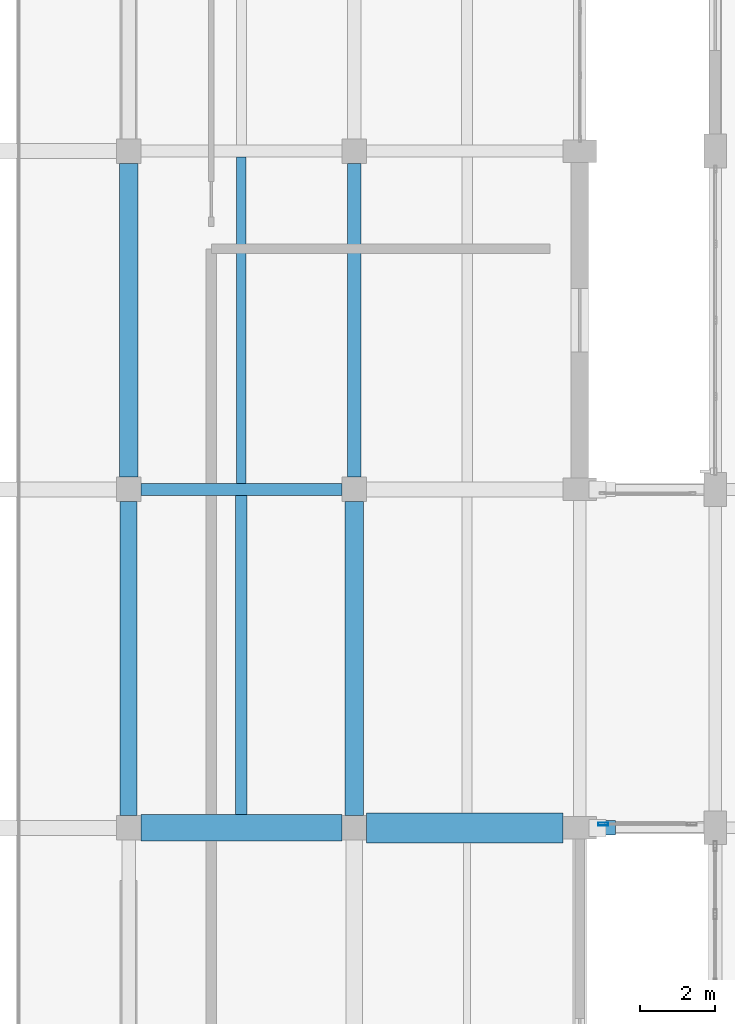
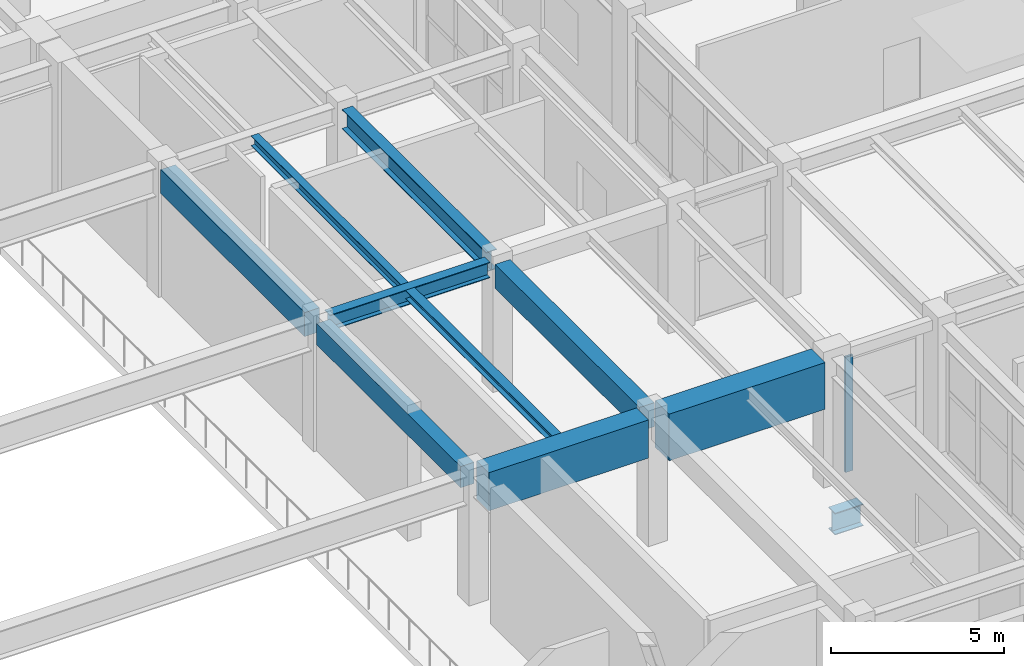
# One storey, part 30 of 85: 10 beams, 1 member, 1 element without a shape of its own.
"""IFC4 building model written with IfcOpenShell, lengths in metres."""

from ifc_helpers import new_model, si_unit, direction, frame, origin, origin_2d, place, context, subcontext, project, spatial, rectangle, hollow_rectangle, i_section, extrude, material, layer, layer_set, material_profile, profile_set, type_object, element, aggregate, save


model = new_model("IFC4")

# Units and contexts
model_context = context("Model", 3, precision=1e-05, world=origin(), true_north=direction((0.0, 1.0)))
body_context = subcontext(model_context, "Body", "Model", "MODEL_VIEW")
ifc_project = project(units=[si_unit("LENGTHUNIT", "METRE"), si_unit("AREAUNIT", "SQUARE_METRE"), si_unit("VOLUMEUNIT", "CUBIC_METRE"), si_unit("PLANEANGLEUNIT", "RADIAN"), si_unit("MASSUNIT", "GRAM", prefix="KILO")], contexts=[model_context])

# Site, building, storey
site_placement = place(None, origin())
site = spatial("IfcSite", under=ifc_project, at=site_placement, CompositionType="ELEMENT")
building_placement = place(site_placement, origin())
building = spatial("IfcBuilding", under=site, at=building_placement, Name="Vaelkrest Opera House", CompositionType="ELEMENT")
storey_placement = place(building_placement, frame((0.0, 0.0, 10.199951171875)))
storey = spatial("IfcBuildingStorey", under=building, at=storey_placement, Name="L02", CompositionType="ELEMENT", Elevation=10.199951171875)

# Beams
ifc_material_1 = material(Name="Concrete C50/60", Category="concrete")
ifc_material_profile_1 = material_profile(ifc_material_1, rectangle(XDim=0.449951171875, YDim=0.75, at=origin_2d()), Name="RCB450X750")
ifc_profile_set_1 = profile_set([ifc_material_profile_1], Name="Concrete C50/60")
beam_type_1 = type_object("IfcBeamType", Name="B02", PredefinedType="BEAM", material=ifc_profile_set_1)
beam_1_placement = place(storey_placement, frame((18.0, -7.47509765625, 4.130126953125), z_axis=(0.0, 1.0, 0.0), x_axis=(-1.0, 0.0, 0.0)))
element("IfcBeam", 1, at=beam_1_placement, inside=storey, type_object=beam_type_1, Name="Beam BM-V1-L02-0391", PredefinedType="BEAM", context=body_context, shape_type="SweptSolid", body=[
    extrude(rectangle(XDim=0.449951171875, YDim=0.75, at=origin_2d()), origin(), (0.0, 0.0, 1.0), 8.35009765625),
])
ifc_material_profile_2 = material_profile(ifc_material_1, rectangle(XDim=0.5, YDim=0.85009765625, at=origin_2d()), Name="RCB500X850")
ifc_profile_set_2 = profile_set([ifc_material_profile_2], Name="Concrete C50/60")
beam_type_2 = type_object("IfcBeamType", Name="B03", PredefinedType="BEAM", material=ifc_profile_set_2)
for number, where, z_axis, x_axis, name in (
    (2, (18.0, 1.52490234375, 4.080078125), (0.0, 1.0, 0.0), (-1.0, 0.0, 0.0), "Beam BM-V1-L02-0392"),
    (3, (24.0, -7.47509765625, 4.080078125), (0.0, 1.0, 0.0), (-1.0, 0.0, 0.0), "Beam BM-V1-L02-0396"),
):
    element("IfcBeam", number, at=place(storey_placement, frame(where, z_axis=z_axis, x_axis=x_axis)), inside=storey, type_object=beam_type_2, Name=name, PredefinedType="BEAM", context=body_context, shape_type="SweptSolid", body=[
        extrude(rectangle(XDim=0.5, YDim=0.85009765625, at=origin_2d()), origin(), (0.0, 0.0, 1.0), 8.35009765625),
    ])
ifc_material_profile_3 = material_profile(ifc_material_1, rectangle(XDim=0.699951171875, YDim=1.35009765625, at=origin_2d()), Name="RCB700X1350")
ifc_profile_set_3 = profile_set([ifc_material_profile_3], Name="Concrete C50/60")
beam_type_3 = type_object("IfcBeamType", Name="B06", PredefinedType="BEAM", material=ifc_profile_set_3)
beam_2_placement = place(storey_placement, frame((18.324951171875, -7.800048828125, 3.830078125), z_axis=(1.0, 0.0, 0.0), x_axis=(0.0, 1.0, 0.0)))
element("IfcBeam", 4, at=beam_2_placement, inside=storey, type_object=beam_type_3, Name="Beam BM-V1-L02-0343", PredefinedType="BEAM", context=body_context, shape_type="SweptSolid", body=[
    extrude(rectangle(XDim=0.699951171875, YDim=1.35009765625, at=origin_2d()), origin(), (0.0, 0.0, 1.0), 5.35009765625),
])
ifc_material_profile_4 = material_profile(ifc_material_1, rectangle(XDim=0.800048828125, YDim=1.64990234375, at=origin_2d()), Name="RCB800X1650")
ifc_profile_set_4 = profile_set([ifc_material_profile_4], Name="Concrete C50/60")
beam_type_4 = type_object("IfcBeamType", Name="B07", PredefinedType="BEAM", material=ifc_profile_set_4)
beam_3_placement = place(storey_placement, frame((24.324951171875, -7.800048828125, 3.679931640625), z_axis=(1.0, 0.0, 0.0), x_axis=(0.0, 1.0, 0.0)))
element("IfcBeam", 5, at=beam_3_placement, inside=storey, type_object=beam_type_4, Name="Beam BM-V1-L02-0344", PredefinedType="BEAM", context=body_context, shape_type="SweptSolid", body=[
    extrude(rectangle(XDim=0.800048828125, YDim=1.64990234375, at=origin_2d()), origin(), (0.0, 0.0, 1.0), 5.22509765625),
])
ifc_material_2 = material(Name="Steel A992 Gr50", Category="steel")
ifc_material_profile_5 = material_profile(ifc_material_2, i_section(OverallWidth=0.35498046875, OverallDepth=0.695068359375, WebThickness=0.015380859375, FlangeThickness=0.02490234375, at=origin_2d()), Name="W27X146")
ifc_profile_set_5 = profile_set([ifc_material_profile_5], Name="Steel A992 Gr50")
beam_type_5 = type_object("IfcBeamType", Name="B10", PredefinedType="BEAM", material=ifc_profile_set_5)
beam_4_placement = place(storey_placement, frame((24.0, 1.52490234375, 4.157470703125), z_axis=(0.0, 1.0, 0.0), x_axis=(-1.0, 0.0, 0.0)))
element("IfcBeam", 6, at=beam_4_placement, inside=storey, type_object=beam_type_5, Name="Beam BM-V1-L02-0397", PredefinedType="BEAM", context=body_context, shape_type="SweptSolid", body=[
    extrude(i_section(OverallWidth=0.35498046875, OverallDepth=0.695068359375, WebThickness=0.015380859375, FlangeThickness=0.02490234375, at=origin_2d()), origin(), (0.0, 0.0, 1.0), 8.35009765625),
])
ifc_material_profile_6 = material_profile(ifc_material_2, i_section(OverallWidth=0.31494140625, OverallDepth=0.551025390625, WebThickness=0.01513671875, FlangeThickness=0.0244140625, at=origin_2d()), Name="W21X122")
ifc_profile_set_6 = profile_set([ifc_material_profile_6], Name="Steel A992 Gr50")
beam_type_6 = type_object("IfcBeamType", Name="B20", PredefinedType="BEAM", material=ifc_profile_set_6)
beam_5_placement = place(storey_placement, frame((18.324951171875, 1.199951171875, 4.2294921875), z_axis=(1.0, 0.0, 0.0), x_axis=(0.0, 1.0, 0.0)))
element("IfcBeam", 7, at=beam_5_placement, inside=storey, type_object=beam_type_6, Name="Beam BM-V1-L02-0348", PredefinedType="BEAM", context=body_context, shape_type="SweptSolid", body=[
    extrude(i_section(OverallWidth=0.31494140625, OverallDepth=0.551025390625, WebThickness=0.01513671875, FlangeThickness=0.0244140625, at=origin_2d()), origin(), (0.0, 0.0, 1.0), 5.35009765625),
])

# Curtain wall, member
ifc_material_3 = material(Name="Dark bronze anodized aluminium", Category="aluminium")
ifc_layer = layer(ifc_material_3, 0.2099609375)
ifc_layer_set = layer_set([ifc_layer], Name="Dark bronze anodized aluminium")
curtain_wall_type = type_object("IfcCurtainWallType", Name="CW04", PredefinedType="NOTDEFINED", material=ifc_layer_set)
curtain_wall_placement = place(storey_placement, origin())
curtain_wall = element("IfcCurtainWall", 8, at=curtain_wall_placement, inside=storey, type_object=curtain_wall_type, Name="Curtain wall CW-L02-182", PredefinedType="NOTDEFINED")
ifc_material_profile_7 = material_profile(ifc_material_3, hollow_rectangle(XDim=0.080078125, YDim=0.260009765625, WallThickness=0.0048828125, at=origin_2d()), Name="CWM80X260")
ifc_profile_set_7 = profile_set([ifc_material_profile_7], Name="Dark bronze anodized aluminium")
member_type = type_object("IfcMemberType", Name="CWM04", PredefinedType="MULLION", material=ifc_profile_set_7)
member_placement = place(storey_placement, frame((30.6201171875, -7.699951171875, 0.0), z_axis=(0.0, 0.0, 1.0), x_axis=(0.0, -1.0, 0.0)))
member = element("IfcMember", 9, at=member_placement, type_object=member_type, Name="CW04 mullion 2", PredefinedType="MULLION", context=body_context, shape_type="SweptSolid", body=[
    extrude(hollow_rectangle(XDim=0.080078125, YDim=0.260009765625, WallThickness=0.0048828125, at=origin_2d()), origin(), (0.0, 0.0, 1.0), 4.080078125),
])
aggregate(curtain_wall, [member])

# Beams
ifc_material_profile_8 = material_profile(ifc_material_2, i_section(OverallWidth=0.304931640625, OverallDepth=0.30810546875, WebThickness=0.010009765625, FlangeThickness=0.015380859375, at=origin_2d()), Name="W12X65")
ifc_profile_set_8 = profile_set([ifc_material_profile_8], Name="Steel A992 Gr50")
beam_type_7 = type_object("IfcBeamType", Name="J04", PredefinedType="JOIST", material=ifc_profile_set_8)
beam_6_placement = place(storey_placement, frame((21.0, -7.449951171875, 4.35107421875), z_axis=(0.0, 1.0, 0.0), x_axis=(-1.0, 0.0, 0.0)))
element("IfcBeam", 10, at=beam_6_placement, inside=storey, type_object=beam_type_7, Name="Floor joist JST-V1-L02-0414", PredefinedType="JOIST", context=body_context, shape_type="SweptSolid", body=[
    extrude(i_section(OverallWidth=0.304931640625, OverallDepth=0.30810546875, WebThickness=0.010009765625, FlangeThickness=0.015380859375, at=origin_2d()), origin(), (0.0, 0.0, 1.0), 8.492431640625),
])
ifc_material_profile_9 = material_profile(ifc_material_2, i_section(OverallWidth=0.2548828125, OverallDepth=0.35693359375, WebThickness=0.010498046875, FlangeThickness=0.018310546875, at=origin_2d()), Name="W14X68")
ifc_profile_set_9 = profile_set([ifc_material_profile_9], Name="Steel A992 Gr50")
beam_type_8 = type_object("IfcBeamType", Name="J05", PredefinedType="JOIST", material=ifc_profile_set_9)
beam_7_placement = place(storey_placement, frame((21.0, 1.357421875, 4.32666015625), z_axis=(0.0, 1.0, 0.0), x_axis=(-1.0, 0.0, 0.0)))
element("IfcBeam", 11, at=beam_7_placement, inside=storey, type_object=beam_type_8, Name="Floor joist JST-V1-L02-0415", PredefinedType="JOIST", context=body_context, shape_type="SweptSolid", body=[
    extrude(i_section(OverallWidth=0.2548828125, OverallDepth=0.35693359375, WebThickness=0.010498046875, FlangeThickness=0.018310546875, at=origin_2d()), origin(), (0.0, 0.0, 1.0), 8.6806640625),
])
ifc_material_profile_10 = material_profile(ifc_material_2, i_section(OverallWidth=0.381103515625, OverallDepth=0.77294921875, WebThickness=0.0166015625, FlangeThickness=0.027099609375, at=origin_2d()), Name="W30X173")
ifc_profile_set_10 = profile_set([ifc_material_profile_10], Name="Steel A992 Gr50")
beam_type_9 = type_object("IfcBeamType", Name="SP03", PredefinedType="SPANDREL", material=ifc_profile_set_10)
beam_8_placement = place(storey_placement, frame((30.0, -7.800048828125, -1.5), z_axis=(1.0, 0.0, 0.0), x_axis=(0.0, 1.0, 0.0)))
element("IfcBeam", 12, at=beam_8_placement, inside=storey, type_object=beam_type_9, Name="Seismic bridge 950mm RC corbel seat BR-E-L02 S", PredefinedType="SPANDREL", context=body_context, shape_type="SweptSolid", body=[
    extrude(i_section(OverallWidth=0.381103515625, OverallDepth=0.77294921875, WebThickness=0.0166015625, FlangeThickness=0.027099609375, at=origin_2d()), origin(), (0.0, 0.0, 1.0), 0.949951171875),
])

save(model, "model.ifc")
